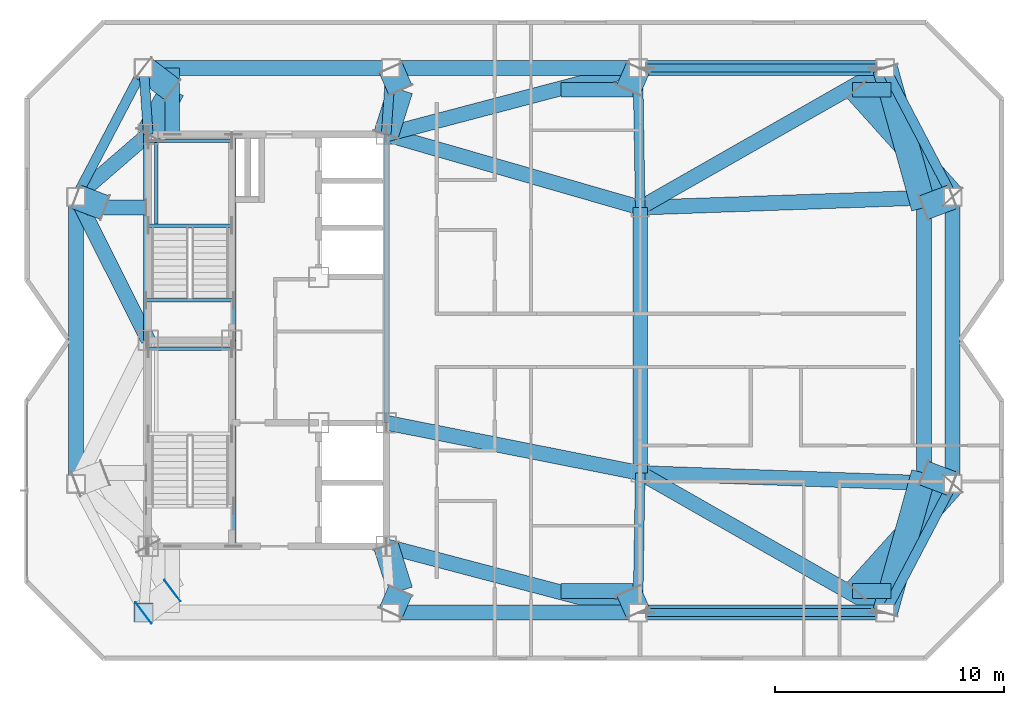
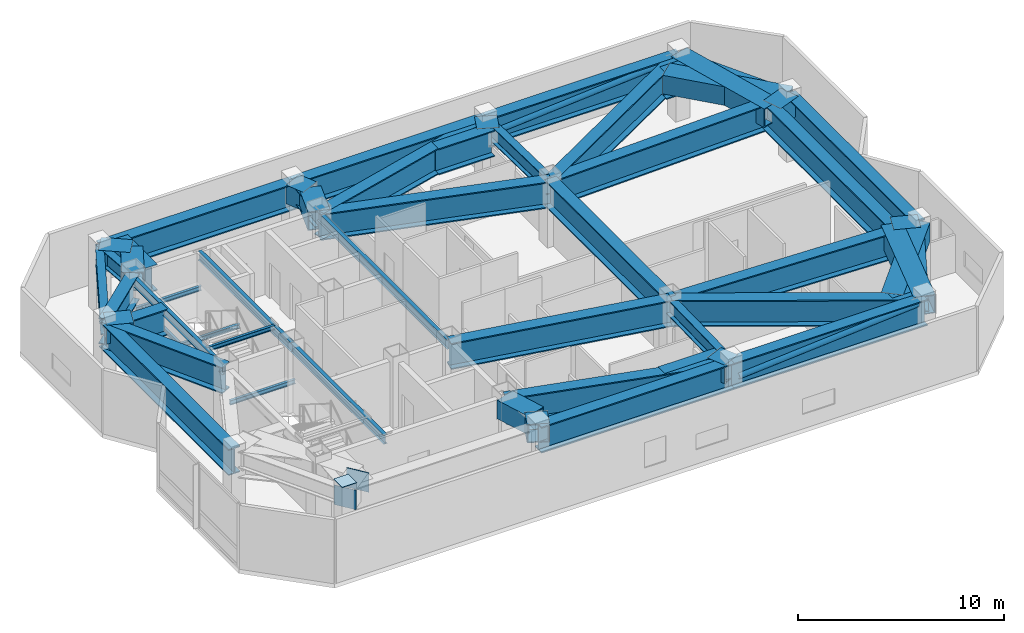
# One storey, part 3 of 9: 56 beams, 3 plates, 2 members.
"""IFC4 building model written with IfcOpenShell, lengths in metres."""

from ifc_helpers import new_model, si_unit, direction, frame, origin, origin_2d, place, context, subcontext, project, spatial, rectangle, hollow_rectangle, hollow_circle, i_section, extrude, material, layer, layer_set, material_profile, profile_set, type_object, element, save


model = new_model("IFC4")

# Units and contexts
model_context = context("Model", 3, precision=1e-05, world=origin(), true_north=direction((0.0, 1.0)))
body_context = subcontext(model_context, "Body", "Model", "MODEL_VIEW")
ifc_project = project(units=[si_unit("LENGTHUNIT", "METRE"), si_unit("AREAUNIT", "SQUARE_METRE"), si_unit("VOLUMEUNIT", "CUBIC_METRE"), si_unit("PLANEANGLEUNIT", "RADIAN"), si_unit("MASSUNIT", "GRAM", prefix="KILO")], contexts=[model_context])

# Site, building, storey
site_placement = place(None, origin())
site = spatial("IfcSite", under=ifc_project, at=site_placement, CompositionType="ELEMENT")
building_placement = place(site_placement, origin())
building = spatial("IfcBuilding", under=site, at=building_placement, Name="Khamvora Tower", CompositionType="ELEMENT")
storey_placement = place(building_placement, frame((0.0, 0.0, 282.050048828125)))
storey = spatial("IfcBuildingStorey", under=building, at=storey_placement, Name="L72", CompositionType="ELEMENT", Elevation=282.050048828125)

# Beams
ifc_material_1 = material(Name="Steel S355", Category="steel")
ifc_material_profile_1 = material_profile(ifc_material_1, i_section(OverallWidth=0.14697265625, OverallDepth=0.261962890625, WebThickness=0.007080078125, FlangeThickness=0.010986328125, FilletRadius=0.008056640625, at=origin_2d()), Name="W250x39")
ifc_profile_set_1 = profile_set([ifc_material_profile_1], Name="Steel S355")
beam_type_1 = type_object("IfcBeamType", Name="BM-LN-W250x39", PredefinedType="LINTEL", material=ifc_profile_set_1)
for number, where, z_axis, x_axis, name in (
    (1, (29.0, 27.6298828125, 1.76904296875), (1.0, 0.0, 0.0), (0.0, 1.0, 0.0), "L72 ST-01 half-landing support beam 1.2"),
    (2, (29.0, 33.014892578125, 1.76904296875), (1.0, 0.0, 0.0), (0.0, 1.0, 0.0), "L72 ST-02 half-landing support beam 1.1"),
    (3, (29.0, 36.72998046875, 1.76904296875), (1.0, 0.0, 0.0), (0.0, 1.0, 0.0), "L72 ST-02 half-landing support beam 1.2"),
):
    element("IfcBeam", number, at=place(storey_placement, frame(where, z_axis=z_axis, x_axis=x_axis)), inside=storey, type_object=beam_type_1, Name=name, PredefinedType="LINTEL", context=body_context, shape_type="SweptSolid", body=[
        extrude(i_section(OverallWidth=0.14697265625, OverallDepth=0.261962890625, WebThickness=0.007080078125, FlangeThickness=0.010986328125, FilletRadius=0.008056640625, at=origin_2d()), origin(), (0.0, 0.0, 1.0), 3.64990234375),
    ])
beam_1_placement = place(storey_placement, frame((29.35009765625, 33.014892578125, 1.76904296875), z_axis=(0.0, 1.0, 0.0), x_axis=(-1.0, 0.0, 0.0)))
element("IfcBeam", 4, at=beam_1_placement, inside=storey, type_object=beam_type_1, Name="L72 ST-02 half-landing edge stringer 1", PredefinedType="LINTEL", context=body_context, shape_type="SweptSolid", body=[
    extrude(i_section(OverallWidth=0.14697265625, OverallDepth=0.261962890625, WebThickness=0.007080078125, FlangeThickness=0.010986328125, FilletRadius=0.008056640625, at=origin_2d()), origin(), (0.0, 0.0, 1.0), 3.715087890625),
])
beam_2_placement = place(storey_placement, frame((28.89990234375, 29.75, 3.654052734375), z_axis=(1.0, 0.0, 0.0), x_axis=(0.0, 1.0, 0.0)))
element("IfcBeam", 5, at=beam_2_placement, inside=storey, type_object=beam_type_1, Name="L72 exit stair ST-02 landing trimmer beam", PredefinedType="LINTEL", context=body_context, shape_type="SweptSolid", body=[
    extrude(i_section(OverallWidth=0.14697265625, OverallDepth=0.261962890625, WebThickness=0.007080078125, FlangeThickness=0.010986328125, FilletRadius=0.008056640625, at=origin_2d()), origin(), (0.0, 0.0, 1.0), 3.830078125),
])
ifc_material_profile_2 = material_profile(ifc_material_1, i_section(OverallWidth=0.208984375, OverallDepth=0.532958984375, WebThickness=0.010009765625, FlangeThickness=0.01611328125, FilletRadius=0.013916015625, at=origin_2d()), Name="W530x92")
ifc_profile_set_2 = profile_set([ifc_material_profile_2], Name="Steel S355")
beam_type_2 = type_object("IfcBeamType", Name="BM-SP-W530x92", PredefinedType="SPANDREL", material=ifc_profile_set_2)
for number, where, z_axis, x_axis, name in (
    (6, (28.89990234375, 28.0, 3.512939453125), (0.0, 1.0, 0.0), (-1.0, 0.0, 0.0), "L72 core spine girder WN"),
    (7, (32.72998046875, 19.0, 3.512939453125), (0.0, 1.0, 0.0), (-1.0, 0.0, 0.0), "L72 core spine girder M1S"),
    (8, (32.72998046875, 28.0, 3.512939453125), (0.0, 1.0, 0.0), (-1.0, 0.0, 0.0), "L72 core spine girder M1N"),
):
    element("IfcBeam", number, at=place(storey_placement, frame(where, z_axis=z_axis, x_axis=x_axis)), inside=storey, type_object=beam_type_2, Name=name, PredefinedType="SPANDREL", context=body_context, shape_type="SweptSolid", body=[
        extrude(i_section(OverallWidth=0.208984375, OverallDepth=0.532958984375, WebThickness=0.010009765625, FlangeThickness=0.01611328125, FilletRadius=0.013916015625, at=origin_2d()), origin(), (0.0, 0.0, 1.0), 9.0),
    ])
beam_3_placement = place(storey_placement, frame((39.39990234375, 24.39990234375, 3.512939453125), z_axis=(0.0, 1.0, 0.0), x_axis=(-1.0, 0.0, 0.0)))
element("IfcBeam", 9, at=beam_3_placement, inside=storey, type_object=beam_type_2, Name="L72 core spine girder EN", PredefinedType="SPANDREL", context=body_context, shape_type="SweptSolid", body=[
    extrude(i_section(OverallWidth=0.208984375, OverallDepth=0.532958984375, WebThickness=0.010009765625, FlangeThickness=0.01611328125, FilletRadius=0.013916015625, at=origin_2d()), origin(), (0.0, 0.0, 1.0), 12.60009765625),
])
ifc_material_2 = material(Name="Steel S460", Category="steel")
ifc_material_profile_3 = material_profile(ifc_material_2, hollow_rectangle(XDim=1.10009765625, YDim=1.10009765625, WallThickness=0.054931640625, at=origin_2d()), Name="BOX1100x1100x55")
ifc_profile_set_3 = profile_set([ifc_material_profile_3], Name="Steel S460")
beam_type_3 = type_object("IfcBeamType", Name="BM-TG-BOX1100", PredefinedType="BEAM", material=ifc_profile_set_3)
beam_4_placement = place(storey_placement, frame((39.60009765625, 16.10009765625, 3.22998046875), z_axis=(0.40194193934, 0.91566515572, 0.0), x_axis=(-0.91566515572, 0.40194193934, 0.0)))
element("IfcBeam", 10, at=beam_4_placement, inside=storey, type_object=beam_type_3, Name="L72 setback frame transfer frame transfer link S2.1", PredefinedType="BEAM", context=body_context, shape_type="SweptSolid", body=[
    extrude(hollow_rectangle(XDim=1.10009765625, YDim=1.10009765625, WallThickness=0.054931640625, at=origin_2d()), origin(), (0.0, 0.0, 1.0), 1.037353515625),
])
beam_5_placement = place(storey_placement, frame((39.39990234375, 19.0, 3.22998046875), z_axis=(0.301759708026, -0.953384014242, 0.0), x_axis=(0.953384014242, 0.301759708026, 0.0)))
element("IfcBeam", 11, at=beam_5_placement, inside=storey, type_object=beam_type_3, Name="L72 setback frame transfer frame transfer link S2.2", PredefinedType="BEAM", context=body_context, shape_type="SweptSolid", body=[
    extrude(hollow_rectangle(XDim=1.10009765625, YDim=1.10009765625, WallThickness=0.054931640625, at=origin_2d()), origin(), (0.0, 0.0, 1.0), 2.04541015625),
])
beam_6_placement = place(storey_placement, frame((50.39990234375, 16.10009765625, 3.22998046875), z_axis=(-0.40194193934, 0.91566515572, 0.0), x_axis=(-0.91566515572, -0.40194193934, 0.0)))
element("IfcBeam", 12, at=beam_6_placement, inside=storey, type_object=beam_type_3, Name="L72 setback frame transfer frame transfer link S3.1", PredefinedType="BEAM", context=body_context, shape_type="SweptSolid", body=[
    extrude(hollow_rectangle(XDim=1.10009765625, YDim=1.10009765625, WallThickness=0.054931640625, at=origin_2d()), origin(), (0.0, 0.0, 1.0), 1.037353515625),
])
beam_7_placement = place(storey_placement, frame((64.14990234375, 21.72509765625, 3.22998046875), z_axis=(-0.668296968267, -0.743894590789, 0.0), x_axis=(0.743894590789, -0.668296968267, 0.0)))
element("IfcBeam", 13, at=beam_7_placement, inside=storey, type_object=beam_type_3, Name="L72 setback frame transfer frame transfer link S4.2", PredefinedType="BEAM", context=body_context, shape_type="SweptSolid", body=[
    extrude(hollow_rectangle(XDim=1.10009765625, YDim=1.10009765625, WallThickness=0.054931640625, at=origin_2d()), origin(), (0.0, 0.0, 1.0), 6.28466796875),
])
beam_8_placement = place(storey_placement, frame((28.800048828125, 39.89990234375, 3.22998046875), z_axis=(0.796177176454, -0.605063553434, 0.0), x_axis=(0.605063553434, 0.796177176454, 0.0)))
element("IfcBeam", 14, at=beam_8_placement, inside=storey, type_object=beam_type_3, Name="L72 setback frame transfer frame transfer link N1.1", PredefinedType="BEAM", context=body_context, shape_type="SweptSolid", body=[
    extrude(hollow_rectangle(XDim=1.10009765625, YDim=1.10009765625, WallThickness=0.054931640625, at=origin_2d()), origin(), (0.0, 0.0, 1.0), 1.570068359375),
])
beam_9_placement = place(storey_placement, frame((29.0, 37.0, 3.22998046875), z_axis=(0.474126117709, 0.880456940745, 0.0), x_axis=(-0.880456940745, 0.474126117709, 0.0)))
element("IfcBeam", 15, at=beam_9_placement, inside=storey, type_object=beam_type_3, Name="L72 setback frame transfer frame transfer link N1.2", PredefinedType="BEAM", context=body_context, shape_type="SweptSolid", body=[
    extrude(hollow_rectangle(XDim=1.10009765625, YDim=1.10009765625, WallThickness=0.054931640625, at=origin_2d()), origin(), (0.0, 0.0, 1.0), 2.214599609375),
])
beam_10_placement = place(storey_placement, frame((39.60009765625, 39.89990234375, 3.22998046875), z_axis=(0.40194193934, -0.91566515572, 0.0), x_axis=(0.91566515572, 0.40194193934, 0.0)))
element("IfcBeam", 16, at=beam_10_placement, inside=storey, type_object=beam_type_3, Name="L72 setback frame transfer frame transfer link N2.1", PredefinedType="BEAM", context=body_context, shape_type="SweptSolid", body=[
    extrude(hollow_rectangle(XDim=1.10009765625, YDim=1.10009765625, WallThickness=0.054931640625, at=origin_2d()), origin(), (0.0, 0.0, 1.0), 1.037353515625),
])
beam_11_placement = place(storey_placement, frame((39.39990234375, 37.0, 3.22998046875), z_axis=(0.301759708026, 0.953384014242, 0.0), x_axis=(-0.953384014242, 0.301759708026, 0.0)))
element("IfcBeam", 17, at=beam_11_placement, inside=storey, type_object=beam_type_3, Name="L72 setback frame transfer frame transfer link N2.2", PredefinedType="BEAM", context=body_context, shape_type="SweptSolid", body=[
    extrude(hollow_rectangle(XDim=1.10009765625, YDim=1.10009765625, WallThickness=0.054931640625, at=origin_2d()), origin(), (0.0, 0.0, 1.0), 2.04541015625),
])
beam_12_placement = place(storey_placement, frame((50.39990234375, 39.89990234375, 3.22998046875), z_axis=(-0.40194193934, -0.91566515572, 0.0), x_axis=(0.91566515572, -0.40194193934, 0.0)))
element("IfcBeam", 18, at=beam_12_placement, inside=storey, type_object=beam_type_3, Name="L72 setback frame transfer frame transfer link N3.1", PredefinedType="BEAM", context=body_context, shape_type="SweptSolid", body=[
    extrude(hollow_rectangle(XDim=1.10009765625, YDim=1.10009765625, WallThickness=0.054931640625, at=origin_2d()), origin(), (0.0, 0.0, 1.0), 1.037353515625),
])
beam_13_placement = place(storey_placement, frame((64.14990234375, 34.27490234375, 3.22998046875), z_axis=(-0.668296968267, 0.743894590789, 0.0), x_axis=(-0.743894590789, -0.668296968267, 0.0)))
element("IfcBeam", 19, at=beam_13_placement, inside=storey, type_object=beam_type_3, Name="L72 setback frame transfer frame transfer link N4.2", PredefinedType="BEAM", context=body_context, shape_type="SweptSolid", body=[
    extrude(hollow_rectangle(XDim=1.10009765625, YDim=1.10009765625, WallThickness=0.054931640625, at=origin_2d()), origin(), (0.0, 0.0, 1.0), 6.28466796875),
])
for number, where, z_axis, x_axis, name in (
    (20, (25.85009765625, 34.27490234375, 3.22998046875), (0.934819951693, -0.35512203243, 0.0), (0.35512203243, 0.934819951693, 0.0), "L72 setback frame transfer frame transfer link W2.1"),
    (21, (64.14990234375, 21.72509765625, 3.22998046875), (-0.934819951693, 0.35512203243, 0.0), (-0.35512203243, -0.934819951693, 0.0), "L72 setback frame transfer frame transfer link E1.1"),
):
    element("IfcBeam", number, at=place(storey_placement, frame(where, z_axis=z_axis, x_axis=x_axis)), inside=storey, type_object=beam_type_3, Name=name, PredefinedType="BEAM", context=body_context, shape_type="SweptSolid", body=[
        extrude(hollow_rectangle(XDim=1.10009765625, YDim=1.10009765625, WallThickness=0.054931640625, at=origin_2d()), origin(), (0.0, 0.0, 1.0), 1.337158203125),
    ])
beam_14_placement = place(storey_placement, frame((61.199951171875, 16.10009765625, 3.22998046875), z_axis=(0.268457064799, 0.963291650726, 0.0), x_axis=(-0.963291650726, 0.268457064799, 0.0)))
element("IfcBeam", 22, at=beam_14_placement, inside=storey, type_object=beam_type_3, Name="L72 setback frame transfer frame transfer link E1.2", PredefinedType="BEAM", context=body_context, shape_type="SweptSolid", body=[
    extrude(hollow_rectangle(XDim=1.10009765625, YDim=1.10009765625, WallThickness=0.054931640625, at=origin_2d()), origin(), (0.0, 0.0, 1.0), 6.332275390625),
])
beam_15_placement = place(storey_placement, frame((64.14990234375, 34.27490234375, 3.22998046875), z_axis=(-0.934819951693, -0.35512203243, 0.0), x_axis=(0.35512203243, -0.934819951693, 0.0)))
element("IfcBeam", 23, at=beam_15_placement, inside=storey, type_object=beam_type_3, Name="L72 setback frame transfer frame transfer link E2.1", PredefinedType="BEAM", context=body_context, shape_type="SweptSolid", body=[
    extrude(hollow_rectangle(XDim=1.10009765625, YDim=1.10009765625, WallThickness=0.054931640625, at=origin_2d()), origin(), (0.0, 0.0, 1.0), 1.337158203125),
])
beam_16_placement = place(storey_placement, frame((61.199951171875, 39.89990234375, 3.22998046875), z_axis=(0.268457064799, -0.963291650726, 0.0), x_axis=(0.963291650726, 0.268457064799, 0.0)))
element("IfcBeam", 24, at=beam_16_placement, inside=storey, type_object=beam_type_3, Name="L72 setback frame transfer frame transfer link E2.2", PredefinedType="BEAM", context=body_context, shape_type="SweptSolid", body=[
    extrude(hollow_rectangle(XDim=1.10009765625, YDim=1.10009765625, WallThickness=0.054931640625, at=origin_2d()), origin(), (0.0, 0.0, 1.0), 6.332275390625),
])
ifc_material_profile_4 = material_profile(ifc_material_2, i_section(OverallWidth=0.64990234375, OverallDepth=1.550048828125, WebThickness=0.0400390625, FlangeThickness=0.06494140625, at=origin_2d()), Name="PG1550x650x40x65")
ifc_profile_set_4 = profile_set([ifc_material_profile_4], Name="Steel S460")
beam_type_4 = type_object("IfcBeamType", Name="BM-TG-PG1800", PredefinedType="BEAM", material=ifc_profile_set_4)
beam_17_placement = place(storey_placement, frame((39.60009765625, 16.10009765625, 3.0048828125), z_axis=(1.0, 0.0, 0.0), x_axis=(0.0, 1.0, 0.0)))
element("IfcBeam", 25, at=beam_17_placement, inside=storey, type_object=beam_type_4, Name="L72 perimeter spandrel beam S2-S3", PredefinedType="BEAM", context=body_context, shape_type="SweptSolid", body=[
    extrude(i_section(OverallWidth=0.64990234375, OverallDepth=1.550048828125, WebThickness=0.0400390625, FlangeThickness=0.06494140625, at=origin_2d()), origin(), (0.0, 0.0, 1.0), 10.7998046875),
])
beam_18_placement = place(storey_placement, frame((50.39990234375, 16.10009765625, 3.0048828125), z_axis=(1.0, 0.0, 0.0), x_axis=(0.0, 1.0, 0.0)))
element("IfcBeam", 26, at=beam_18_placement, inside=storey, type_object=beam_type_4, Name="L72 perimeter spandrel beam S3-S4", PredefinedType="BEAM", context=body_context, shape_type="SweptSolid", body=[
    extrude(i_section(OverallWidth=0.64990234375, OverallDepth=1.550048828125, WebThickness=0.0400390625, FlangeThickness=0.06494140625, at=origin_2d()), origin(), (0.0, 0.0, 1.0), 10.800048828125),
])
beam_19_placement = place(storey_placement, frame((64.14990234375, 21.72509765625, 3.0048828125), z_axis=(0.0, 1.0, 0.0), x_axis=(-1.0, 0.0, 0.0)))
element("IfcBeam", 27, at=beam_19_placement, inside=storey, type_object=beam_type_4, Name="L72 perimeter spandrel beam E1-E2", PredefinedType="BEAM", context=body_context, shape_type="SweptSolid", body=[
    extrude(i_section(OverallWidth=0.64990234375, OverallDepth=1.550048828125, WebThickness=0.0400390625, FlangeThickness=0.06494140625, at=origin_2d()), origin(), (0.0, 0.0, 1.0), 12.5498046875),
])
beam_20_placement = place(storey_placement, frame((61.199951171875, 39.89990234375, 3.0048828125), z_axis=(-1.0, 0.0, 0.0), x_axis=(0.0, -1.0, 0.0)))
element("IfcBeam", 28, at=beam_20_placement, inside=storey, type_object=beam_type_4, Name="L72 perimeter spandrel beam N4-N3", PredefinedType="BEAM", context=body_context, shape_type="SweptSolid", body=[
    extrude(i_section(OverallWidth=0.64990234375, OverallDepth=1.550048828125, WebThickness=0.0400390625, FlangeThickness=0.06494140625, at=origin_2d()), origin(), (0.0, 0.0, 1.0), 10.800048828125),
])
beam_21_placement = place(storey_placement, frame((50.39990234375, 39.89990234375, 3.0048828125), z_axis=(-1.0, 0.0, 0.0), x_axis=(0.0, -1.0, 0.0)))
element("IfcBeam", 29, at=beam_21_placement, inside=storey, type_object=beam_type_4, Name="L72 perimeter spandrel beam N3-N2", PredefinedType="BEAM", context=body_context, shape_type="SweptSolid", body=[
    extrude(i_section(OverallWidth=0.64990234375, OverallDepth=1.550048828125, WebThickness=0.0400390625, FlangeThickness=0.06494140625, at=origin_2d()), origin(), (0.0, 0.0, 1.0), 10.7998046875),
])
beam_22_placement = place(storey_placement, frame((39.60009765625, 39.89990234375, 3.0048828125), z_axis=(-1.0, 0.0, 0.0), x_axis=(0.0, -1.0, 0.0)))
element("IfcBeam", 30, at=beam_22_placement, inside=storey, type_object=beam_type_4, Name="L72 perimeter spandrel beam N2-N1", PredefinedType="BEAM", context=body_context, shape_type="SweptSolid", body=[
    extrude(i_section(OverallWidth=0.64990234375, OverallDepth=1.550048828125, WebThickness=0.0400390625, FlangeThickness=0.06494140625, at=origin_2d()), origin(), (0.0, 0.0, 1.0), 10.800048828125),
])
beam_23_placement = place(storey_placement, frame((25.85009765625, 34.27490234375, 3.0048828125), z_axis=(0.0, -1.0, 0.0), x_axis=(1.0, 0.0, 0.0)))
element("IfcBeam", 31, at=beam_23_placement, inside=storey, type_object=beam_type_4, Name="L72 perimeter spandrel beam W2-W1", PredefinedType="BEAM", context=body_context, shape_type="SweptSolid", body=[
    extrude(i_section(OverallWidth=0.64990234375, OverallDepth=1.550048828125, WebThickness=0.0400390625, FlangeThickness=0.06494140625, at=origin_2d()), origin(), (0.0, 0.0, 1.0), 12.5498046875),
])
beam_24_placement = place(storey_placement, frame((50.5, 22.199951171875, 3.0048828125), z_axis=(0.0, 1.0, 0.0), x_axis=(-1.0, 0.0, 0.0)))
element("IfcBeam", 32, at=beam_24_placement, inside=storey, type_object=beam_type_4, Name="L72 longitudinal frame girder M1-M2", PredefinedType="BEAM", context=body_context, shape_type="SweptSolid", body=[
    extrude(i_section(OverallWidth=0.64990234375, OverallDepth=1.550048828125, WebThickness=0.0400390625, FlangeThickness=0.06494140625, at=origin_2d()), origin(), (0.0, 0.0, 1.0), 11.60009765625),
])
for number, where, z_axis, x_axis, name in (
    (33, (50.5, 22.199951171875, 3.0048828125), (0.868746482726, -0.495257053207, 0.0), (0.495257053207, 0.868746482726, 0.0), "L72 primary floor girder S4"),
    (34, (50.5, 33.800048828125, 3.0048828125), (0.868746482726, 0.495257053207, 0.0), (-0.495257053207, 0.868746482726, 0.0), "L72 primary floor girder N4"),
):
    element("IfcBeam", number, at=place(storey_placement, frame(where, z_axis=z_axis, x_axis=x_axis)), inside=storey, type_object=beam_type_4, Name=name, PredefinedType="BEAM", context=body_context, shape_type="SweptSolid", body=[
        extrude(i_section(OverallWidth=0.64990234375, OverallDepth=1.550048828125, WebThickness=0.0400390625, FlangeThickness=0.06494140625, at=origin_2d()), origin(), (0.0, 0.0, 1.0), 12.316650390625),
    ])
beam_25_placement = place(storey_placement, frame((29.0, 28.0, 3.0048828125), z_axis=(-0.448631741267, 0.893716711675, 0.0), x_axis=(-0.893716711675, -0.448631741267, 0.0)))
element("IfcBeam", 35, at=beam_25_placement, inside=storey, type_object=beam_type_4, Name="L72 primary floor girder W2", PredefinedType="BEAM", context=body_context, shape_type="SweptSolid", body=[
    extrude(i_section(OverallWidth=0.64990234375, OverallDepth=1.550048828125, WebThickness=0.0400390625, FlangeThickness=0.06494140625, at=origin_2d()), origin(), (0.0, 0.0, 1.0), 7.021240234375),
])
for number, where, z_axis, x_axis, name in (
    (36, (50.5, 22.199951171875, 3.0048828125), (0.999395444385, -0.034767020914, 0.0), (0.034767020914, 0.999395444385, 0.0), "L72 primary floor girder E1"),
    (37, (50.5, 33.800048828125, 3.0048828125), (0.999395444385, 0.034767020914, 0.0), (-0.034767020914, 0.999395444385, 0.0), "L72 primary floor girder E2"),
):
    element("IfcBeam", number, at=place(storey_placement, frame(where, z_axis=z_axis, x_axis=x_axis)), inside=storey, type_object=beam_type_4, Name=name, PredefinedType="BEAM", context=body_context, shape_type="SweptSolid", body=[
        extrude(i_section(OverallWidth=0.64990234375, OverallDepth=1.550048828125, WebThickness=0.0400390625, FlangeThickness=0.06494140625, at=origin_2d()), origin(), (0.0, 0.0, 1.0), 13.658203125),
    ])
beam_26_placement = place(storey_placement, frame((39.39990234375, 24.39990234375, 3.0048828125), z_axis=(0.980920240909, -0.194410598927, 0.0), x_axis=(0.194410598927, 0.980920240909, 0.0)))
element("IfcBeam", 38, at=beam_26_placement, inside=storey, type_object=beam_type_4, Name="L72 primary floor girder M1", PredefinedType="BEAM", context=body_context, shape_type="SweptSolid", body=[
    extrude(i_section(OverallWidth=0.64990234375, OverallDepth=1.550048828125, WebThickness=0.0400390625, FlangeThickness=0.06494140625, at=origin_2d()), origin(), (0.0, 0.0, 1.0), 11.31591796875),
])
beam_27_placement = place(storey_placement, frame((39.39990234375, 37.0, 3.0048828125), z_axis=(0.960869684076, -0.277000812677, 0.0), x_axis=(0.277000812677, 0.960869684076, 0.0)))
element("IfcBeam", 39, at=beam_27_placement, inside=storey, type_object=beam_type_4, Name="L72 primary floor girder M2", PredefinedType="BEAM", context=body_context, shape_type="SweptSolid", body=[
    extrude(i_section(OverallWidth=0.64990234375, OverallDepth=1.550048828125, WebThickness=0.0400390625, FlangeThickness=0.06494140625, at=origin_2d()), origin(), (0.0, 0.0, 1.0), 11.55224609375),
])
beam_28_placement = place(storey_placement, frame((29.0, 37.0, 3.0048828125), z_axis=(-0.756261265325, -0.654269744501, 0.0), x_axis=(0.654269744501, -0.756261265325, 0.0)))
element("IfcBeam", 40, at=beam_28_placement, inside=storey, type_object=beam_type_4, Name="L72 setback frame transfer core tie girder WN", PredefinedType="BEAM", context=body_context, shape_type="SweptSolid", body=[
    extrude(i_section(OverallWidth=0.64990234375, OverallDepth=1.550048828125, WebThickness=0.0400390625, FlangeThickness=0.06494140625, at=origin_2d()), origin(), (0.0, 0.0, 1.0), 4.1650390625),
])
for number, where, z_axis, x_axis, name in (
    (41, (39.39990234375, 19.0, 3.0048828125), (0.966962689311, -0.254917942641, 0.0), (0.254917942641, 0.966962689311, 0.0), "L72 setback frame transfer core tie girder ES"),
    (42, (39.39990234375, 37.0, 3.0048828125), (0.966962689311, 0.254917942641, 0.0), (-0.254917942641, 0.966962689311, 0.0), "L72 setback frame transfer core tie girder EN"),
):
    element("IfcBeam", number, at=place(storey_placement, frame(where, z_axis=z_axis, x_axis=x_axis)), inside=storey, type_object=beam_type_4, Name=name, PredefinedType="BEAM", context=body_context, shape_type="SweptSolid", body=[
        extrude(i_section(OverallWidth=0.64990234375, OverallDepth=1.550048828125, WebThickness=0.0400390625, FlangeThickness=0.06494140625, at=origin_2d()), origin(), (0.0, 0.0, 1.0), 11.375732421875),
    ])
beam_29_placement = place(storey_placement, frame((47.037109375, 17.050048828125, 3.0048828125), z_axis=(1.0, 0.0, 0.0), x_axis=(0.0, 1.0, 0.0)))
element("IfcBeam", 43, at=beam_29_placement, inside=storey, type_object=beam_type_4, Name="L72 setback frame transfer Box Girder S3", PredefinedType="BEAM", context=body_context, shape_type="SweptSolid", body=[
    extrude(i_section(OverallWidth=0.64990234375, OverallDepth=1.550048828125, WebThickness=0.0400390625, FlangeThickness=0.06494140625, at=origin_2d()), origin(), (0.0, 0.0, 1.0), 3.138916015625),
])
beam_30_placement = place(storey_placement, frame((59.77392578125, 17.050048828125, 3.0048828125), z_axis=(1.0, 0.0, 0.0), x_axis=(0.0, 1.0, 0.0)))
element("IfcBeam", 44, at=beam_30_placement, inside=storey, type_object=beam_type_4, Name="L72 setback frame transfer Box Girder S4", PredefinedType="BEAM", context=body_context, shape_type="SweptSolid", body=[
    extrude(i_section(OverallWidth=0.64990234375, OverallDepth=1.550048828125, WebThickness=0.0400390625, FlangeThickness=0.06494140625, at=origin_2d()), origin(), (0.0, 0.0, 1.0), 1.68408203125),
])
beam_31_placement = place(storey_placement, frame((30.050048828125, 37.0, 3.0048828125), z_axis=(0.0, 1.0, 0.0), x_axis=(-1.0, 0.0, 0.0)))
element("IfcBeam", 45, at=beam_31_placement, inside=storey, type_object=beam_type_4, Name="L72 setback frame transfer Box Girder N1", PredefinedType="BEAM", context=body_context, shape_type="SweptSolid", body=[
    extrude(i_section(OverallWidth=0.64990234375, OverallDepth=1.550048828125, WebThickness=0.0400390625, FlangeThickness=0.06494140625, at=origin_2d()), origin(), (0.0, 0.0, 1.0), 2.89990234375),
])
beam_32_placement = place(storey_placement, frame((47.037109375, 38.949951171875, 3.0048828125), z_axis=(1.0, 0.0, 0.0), x_axis=(0.0, 1.0, 0.0)))
element("IfcBeam", 46, at=beam_32_placement, inside=storey, type_object=beam_type_4, Name="L72 setback frame transfer Box Girder N3", PredefinedType="BEAM", context=body_context, shape_type="SweptSolid", body=[
    extrude(i_section(OverallWidth=0.64990234375, OverallDepth=1.550048828125, WebThickness=0.0400390625, FlangeThickness=0.06494140625, at=origin_2d()), origin(), (0.0, 0.0, 1.0), 3.138916015625),
])
beam_33_placement = place(storey_placement, frame((59.77392578125, 38.949951171875, 3.0048828125), z_axis=(1.0, 0.0, 0.0), x_axis=(0.0, 1.0, 0.0)))
element("IfcBeam", 47, at=beam_33_placement, inside=storey, type_object=beam_type_4, Name="L72 setback frame transfer Box Girder N4", PredefinedType="BEAM", context=body_context, shape_type="SweptSolid", body=[
    extrude(i_section(OverallWidth=0.64990234375, OverallDepth=1.550048828125, WebThickness=0.0400390625, FlangeThickness=0.06494140625, at=origin_2d()), origin(), (0.0, 0.0, 1.0), 1.68408203125),
])
beam_34_placement = place(storey_placement, frame((26.327880859375, 33.800048828125, 3.0048828125), z_axis=(1.0, 0.0, 0.0), x_axis=(0.0, 1.0, 0.0)))
element("IfcBeam", 48, at=beam_34_placement, inside=storey, type_object=beam_type_4, Name="L72 setback frame transfer Box Girder W2", PredefinedType="BEAM", context=body_context, shape_type="SweptSolid", body=[
    extrude(i_section(OverallWidth=0.64990234375, OverallDepth=1.550048828125, WebThickness=0.0400390625, FlangeThickness=0.06494140625, at=origin_2d()), origin(), (0.0, 0.0, 1.0), 2.572021484375),
])
beam_35_placement = place(storey_placement, frame((62.89990234375, 21.76806640625, 3.0048828125), z_axis=(0.0, 1.0, 0.0), x_axis=(-1.0, 0.0, 0.0)))
element("IfcBeam", 49, at=beam_35_placement, inside=storey, type_object=beam_type_4, Name="L72 setback frame transfer Box Girder E1", PredefinedType="BEAM", context=body_context, shape_type="SweptSolid", body=[
    extrude(i_section(OverallWidth=0.64990234375, OverallDepth=1.550048828125, WebThickness=0.0400390625, FlangeThickness=0.06494140625, at=origin_2d()), origin(), (0.0, 0.0, 1.0), 12.4638671875),
])
ifc_material_profile_5 = material_profile(ifc_material_2, i_section(OverallWidth=0.423095703125, OverallDepth=0.93310546875, WebThickness=0.02392578125, FlangeThickness=0.04296875, FilletRadius=0.02001953125, at=origin_2d()), Name="W920x446")
ifc_profile_set_5 = profile_set([ifc_material_profile_5], Name="Steel S460")
beam_type_5 = type_object("IfcBeamType", Name="BM-TL-900", PredefinedType="BEAM", material=ifc_profile_set_5)
for number, where, z_axis, x_axis, name in (
    (50, (61.199951171875, 16.10009765625, 3.31298828125), (0.464442132217, 0.885603469856, 0.0), (-0.885603469856, 0.464442132217, 0.0), "L72 perimeter spandrel beam S4-E1"),
    (51, (64.14990234375, 34.27490234375, 3.31298828125), (-0.464442132217, 0.885603469856, 0.0), (-0.885603469856, -0.464442132217, 0.0), "L72 perimeter spandrel beam E2-N4"),
    (52, (28.800048828125, 39.89990234375, 3.31298828125), (-0.464442132217, -0.885603469856, 0.0), (0.885603469856, -0.464442132217, 0.0), "L72 perimeter spandrel beam N1-W2"),
):
    element("IfcBeam", number, at=place(storey_placement, frame(where, z_axis=z_axis, x_axis=x_axis)), inside=storey, type_object=beam_type_5, Name=name, PredefinedType="BEAM", context=body_context, shape_type="SweptSolid", body=[
        extrude(i_section(OverallWidth=0.423095703125, OverallDepth=0.93310546875, WebThickness=0.02392578125, FlangeThickness=0.04296875, FilletRadius=0.02001953125, at=origin_2d()), origin(), (0.0, 0.0, 1.0), 6.3515625),
    ])
beam_36_placement = place(storey_placement, frame((50.5, 22.199951171875, 3.31298828125), z_axis=(-0.016407636907, -0.999865385665, 0.0), x_axis=(0.999865385665, -0.016407636907, 0.0)))
element("IfcBeam", 53, at=beam_36_placement, inside=storey, type_object=beam_type_5, Name="L72 primary floor girder S3", PredefinedType="BEAM", context=body_context, shape_type="SweptSolid", body=[
    extrude(i_section(OverallWidth=0.423095703125, OverallDepth=0.93310546875, WebThickness=0.02392578125, FlangeThickness=0.04296875, FilletRadius=0.02001953125, at=origin_2d()), origin(), (0.0, 0.0, 1.0), 6.1005859375),
])
for number, where, z_axis, x_axis, name in (
    (54, (29.0, 37.0, 3.31298828125), (-0.06878767915, 0.997631322281, 0.0), (-0.997631322281, -0.06878767915, 0.0), "L72 primary floor girder N1"),
    (55, (39.39990234375, 37.0, 3.31298828125), (0.068871270847, 0.997625555031, 0.0), (-0.997625555031, 0.068871270847, 0.0), "L72 primary floor girder N2"),
):
    element("IfcBeam", number, at=place(storey_placement, frame(where, z_axis=z_axis, x_axis=x_axis)), inside=storey, type_object=beam_type_5, Name=name, PredefinedType="BEAM", context=body_context, shape_type="SweptSolid", body=[
        extrude(i_section(OverallWidth=0.423095703125, OverallDepth=0.93310546875, WebThickness=0.02392578125, FlangeThickness=0.04296875, FilletRadius=0.02001953125, at=origin_2d()), origin(), (0.0, 0.0, 1.0), 2.90673828125),
    ])
beam_37_placement = place(storey_placement, frame((50.5, 33.800048828125, 3.31298828125), z_axis=(-0.016407636907, 0.999865385665, 0.0), x_axis=(-0.999865385665, -0.016407636907, 0.0)))
element("IfcBeam", 56, at=beam_37_placement, inside=storey, type_object=beam_type_5, Name="L72 primary floor girder N3", PredefinedType="BEAM", context=body_context, shape_type="SweptSolid", body=[
    extrude(i_section(OverallWidth=0.423095703125, OverallDepth=0.93310546875, WebThickness=0.02392578125, FlangeThickness=0.04296875, FilletRadius=0.02001953125, at=origin_2d()), origin(), (0.0, 0.0, 1.0), 6.1005859375),
])

# Members
ifc_material_profile_6 = material_profile(ifc_material_1, hollow_circle(Radius=0.177978515625, WallThickness=0.013916015625, at=origin_2d()), Name="CHS356x14")
ifc_profile_set_6 = profile_set([ifc_material_profile_6], Name="Steel S355")
member_type = type_object("IfcMemberType", Name="MEM-BR-CHS356", PredefinedType="BRACE", material=ifc_profile_set_6)
for number, where, z_axis, x_axis, name in (
    (57, (50.779052734375, 16.10009765625, 2.708984375), (0.997035919981, 0.0, 0.076937469854), (0.0, 1.0, 0.0), "L72 perimeter wind brace 1"),
    (58, (50.779052734375, 39.89990234375, 2.708984375), (0.997035919981, 0.0, 0.076937469854), (0.0, 1.0, 0.0), "L72 perimeter wind brace 2"),
):
    element("IfcMember", number, at=place(storey_placement, frame(where, z_axis=z_axis, x_axis=x_axis)), inside=storey, type_object=member_type, Name=name, PredefinedType="BRACE", context=body_context, shape_type="SweptSolid", body=[
        extrude(hollow_circle(Radius=0.177978515625, WallThickness=0.013916015625, at=origin_2d()), origin(), (0.0, 0.0, 1.0), 10.07177734375),
    ])

# Plates
ifc_layer = layer(ifc_material_1, 0.02490234375)
ifc_layer_set = layer_set([ifc_layer], Name="Steel S355")
plate_type = type_object("IfcPlateType", Name="PL-CAP-25", PredefinedType="SHEET", material=ifc_layer_set)
plate_placement = place(storey_placement, frame((28.800048828125, 16.10009765625, 4.175537109375), z_axis=(0.0, 0.0, 1.0), x_axis=(1.0, 0.0, 0.0)))
element("IfcPlate", 59, at=plate_placement, inside=storey, type_object=plate_type, Name="L72 hollow section steel end cap plate 0287", PredefinedType="SHEET", context=body_context, shape_type="SweptSolid", body=[
    extrude(rectangle(XDim=0.830078125, YDim=0.830078125, at=origin_2d()), origin(), (0.0, 0.0, 1.0), 0.02490234375),
])
for number, where, z_axis, x_axis, name in (
    (60, (28.7900390625, 16.092041015625, 2.64990234375), (0.0, 0.0, 1.0), (0.79616044085, 0.605085574465, 0.0), "L72 hollow section steel end cap plate 1243"),
    (61, (30.06005859375, 17.05810546875, 2.64990234375), (0.0, 0.0, 1.0), (0.79616044085, 0.605085574465, 0.0), "L72 hollow section steel end cap plate 1244"),
):
    element("IfcPlate", number, at=place(storey_placement, frame(where, z_axis=z_axis, x_axis=x_axis)), inside=storey, type_object=plate_type, Name=name, PredefinedType="SHEET", context=body_context, shape_type="SweptSolid", body=[
        extrude(rectangle(XDim=0.02490234375, YDim=1.159912109375, at=origin_2d()), origin(), (0.0, 0.0, 1.0), 1.159912109375),
    ])

save(model, "model.ifc")
